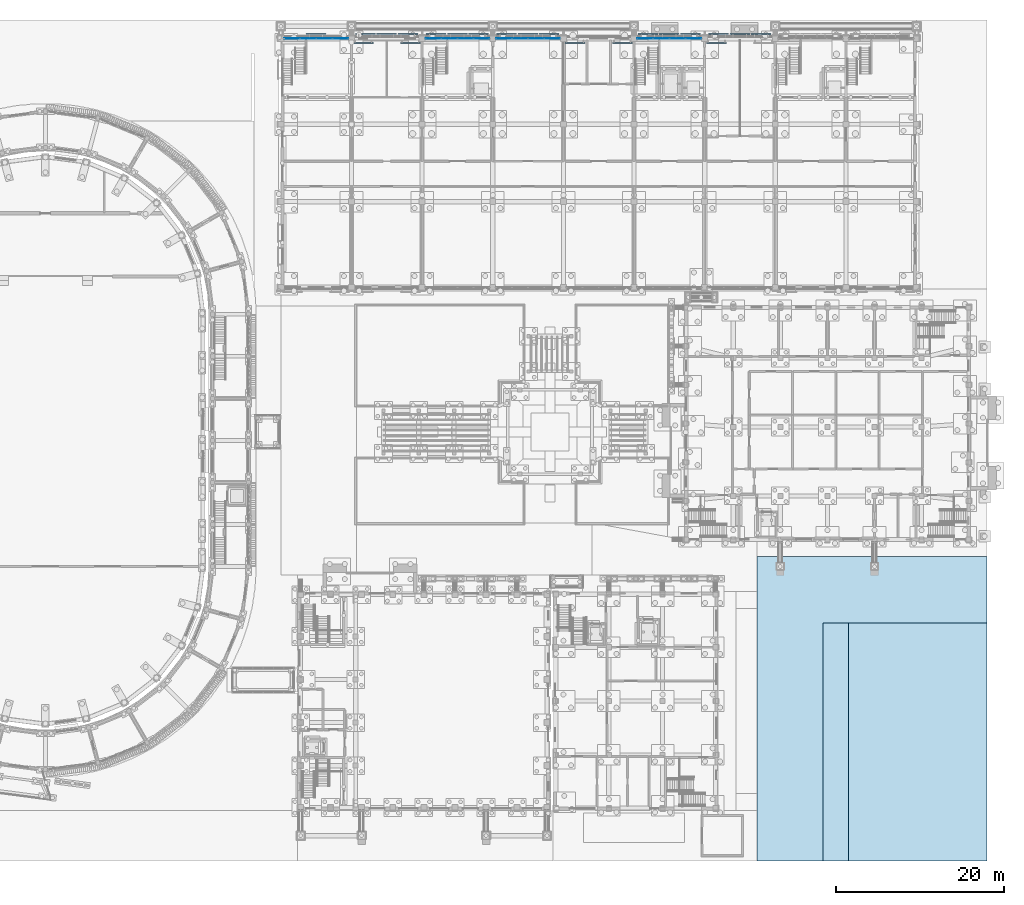
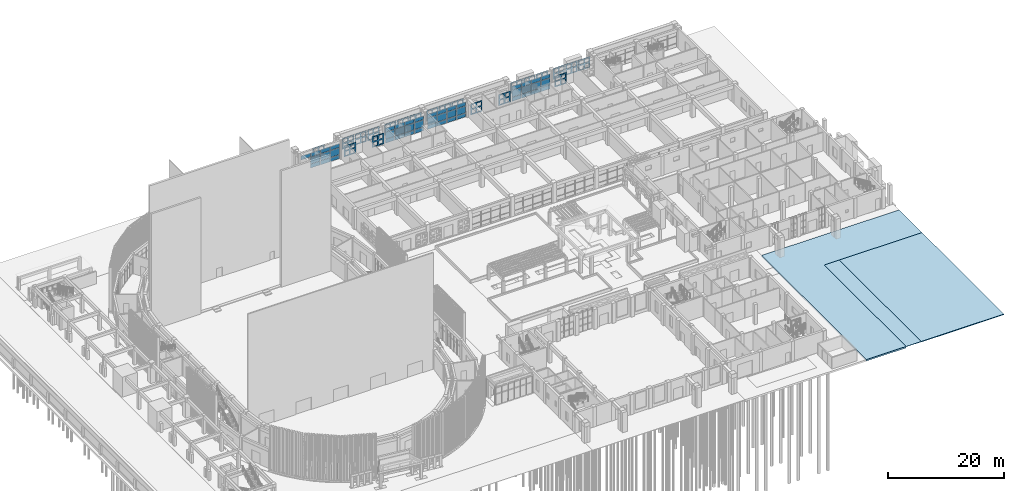
# One storey, part 56 of 112: 67 plates, 3 slabs, 4 elements without a shape of their own.
"""IFC4 building model written with IfcOpenShell, lengths in metres."""

from ifc_helpers import new_model, si_unit, direction, frame, origin, origin_2d, place, context, subcontext, project, spatial, polyline, rectangle, outline, extrude, material, layer, layer_set, material_profile, profile_set, type_object, element, aggregate, save


model = new_model("IFC4")

# Units and contexts
model_context = context("Model", 3, precision=1e-05, world=origin(), true_north=direction((0.0, 1.0)))
body_context = subcontext(model_context, "Body", "Model", "MODEL_VIEW")
ifc_project = project(units=[si_unit("LENGTHUNIT", "METRE"), si_unit("AREAUNIT", "SQUARE_METRE"), si_unit("VOLUMEUNIT", "CUBIC_METRE"), si_unit("PLANEANGLEUNIT", "RADIAN"), si_unit("MASSUNIT", "GRAM", prefix="KILO")], contexts=[model_context])

# Site, building, storey
site_placement = place(None, origin())
site = spatial("IfcSite", under=ifc_project, at=site_placement, CompositionType="ELEMENT")
building_placement = place(site_placement, origin())
building = spatial("IfcBuilding", under=site, at=building_placement, Name="Wasatch Bagh Community Centre", CompositionType="ELEMENT")
storey_placement = place(building_placement, origin())
storey = spatial("IfcBuildingStorey", under=building, at=storey_placement, Name="L00", CompositionType="ELEMENT", Elevation=0.0)

# Curtain wall, plates
ifc_material_1 = material(Name="Aluminium curtain wall frame with low-iron glass", Category="aluminium")
ifc_layer_1 = layer(ifc_material_1, 0.10009765625)
ifc_layer_set_1 = layer_set([ifc_layer_1], Name="Aluminium curtain wall frame with low-iron glass")
curtain_wall_type_1 = type_object("IfcCurtainWallType", Name="LW curtain wall 100", PredefinedType="NOTDEFINED", material=ifc_layer_set_1)
curtain_wall_1_placement = place(storey_placement, origin())
curtain_wall_1 = element("IfcCurtainWall", 1, at=curtain_wall_1_placement, inside=storey, type_object=curtain_wall_type_1, Name="Curtain wall 00.06", PredefinedType="NOTDEFINED")
ifc_material_2 = material(Name="Low-iron insulated glass", Category="glass")
ifc_layer_2 = layer(ifc_material_2, 0.028076171875)
ifc_layer_set_2 = layer_set([ifc_layer_2], Name="Low-iron insulated glass")
plate_type_1 = type_object("IfcPlateType", Name="LW curtain wall panel 28", PredefinedType="CURTAIN_PANEL", material=ifc_layer_set_2)
plate_1_placement = place(storey_placement, frame((65.327392578125, 97.800048828125, 2.429931640625), z_axis=(0.0, 0.0, 1.0), x_axis=(1.0, 0.0, 0.0)))
plate_1 = element("IfcPlate", 2, at=plate_1_placement, type_object=plate_type_1, Name="LW-CW1 panel 1.3", PredefinedType="CURTAIN_PANEL", context=body_context, shape_type="SweptSolid", body=[
    extrude(rectangle(XDim=1.8349609375, YDim=0.028076171875, at=origin_2d()), origin(), (0.0, 0.0, 1.0), 0.830078125),
])
plate_2_placement = place(storey_placement, frame((67.237548828125, 97.800048828125, 0.06005859375), z_axis=(0.0, 0.0, 1.0), x_axis=(1.0, 0.0, 0.0)))
plate_2 = element("IfcPlate", 3, at=plate_2_placement, type_object=plate_type_1, Name="LW-CW1 panel 2.1", PredefinedType="CURTAIN_PANEL", context=body_context, shape_type="SweptSolid", body=[
    extrude(rectangle(XDim=1.864990234375, YDim=0.028076171875, at=origin_2d()), origin(), (0.0, 0.0, 1.0), 0.81005859375),
])
plate_3_placement = place(storey_placement, frame((67.237548828125, 97.800048828125, 0.929931640625), z_axis=(0.0, 0.0, 1.0), x_axis=(1.0, 0.0, 0.0)))
plate_3 = element("IfcPlate", 4, at=plate_3_placement, type_object=plate_type_1, Name="LW-CW1 panel 2.2", PredefinedType="CURTAIN_PANEL", context=body_context, shape_type="SweptSolid", body=[
    extrude(rectangle(XDim=1.864990234375, YDim=0.028076171875, at=origin_2d()), origin(), (0.0, 0.0, 1.0), 1.43994140625),
])
plate_4_placement = place(storey_placement, frame((67.237548828125, 97.800048828125, 2.429931640625), z_axis=(0.0, 0.0, 1.0), x_axis=(1.0, 0.0, 0.0)))
plate_4 = element("IfcPlate", 5, at=plate_4_placement, type_object=plate_type_1, Name="LW-CW1 panel 2.3", PredefinedType="CURTAIN_PANEL", context=body_context, shape_type="SweptSolid", body=[
    extrude(rectangle(XDim=1.864990234375, YDim=0.028076171875, at=origin_2d()), origin(), (0.0, 0.0, 1.0), 0.830078125),
])
plate_5_placement = place(storey_placement, frame((69.16259765625, 97.800048828125, 0.06005859375), z_axis=(0.0, 0.0, 1.0), x_axis=(1.0, 0.0, 0.0)))
plate_5 = element("IfcPlate", 6, at=plate_5_placement, type_object=plate_type_1, Name="LW-CW1 panel 3.1", PredefinedType="CURTAIN_PANEL", context=body_context, shape_type="SweptSolid", body=[
    extrude(rectangle(XDim=1.864990234375, YDim=0.028076171875, at=origin_2d()), origin(), (0.0, 0.0, 1.0), 0.81005859375),
])
plate_6_placement = place(storey_placement, frame((69.16259765625, 97.800048828125, 0.929931640625), z_axis=(0.0, 0.0, 1.0), x_axis=(1.0, 0.0, 0.0)))
plate_6 = element("IfcPlate", 7, at=plate_6_placement, type_object=plate_type_1, Name="LW-CW1 panel 3.2", PredefinedType="CURTAIN_PANEL", context=body_context, shape_type="SweptSolid", body=[
    extrude(rectangle(XDim=1.864990234375, YDim=0.028076171875, at=origin_2d()), origin(), (0.0, 0.0, 1.0), 1.43994140625),
])
plate_7_placement = place(storey_placement, frame((69.16259765625, 97.800048828125, 2.429931640625), z_axis=(0.0, 0.0, 1.0), x_axis=(1.0, 0.0, 0.0)))
plate_7 = element("IfcPlate", 8, at=plate_7_placement, type_object=plate_type_1, Name="LW-CW1 panel 3.3", PredefinedType="CURTAIN_PANEL", context=body_context, shape_type="SweptSolid", body=[
    extrude(rectangle(XDim=1.864990234375, YDim=0.028076171875, at=origin_2d()), origin(), (0.0, 0.0, 1.0), 0.830078125),
])
plate_8_placement = place(storey_placement, frame((71.072509765625, 97.800048828125, 0.06005859375), z_axis=(0.0, 0.0, 1.0), x_axis=(1.0, 0.0, 0.0)))
plate_8 = element("IfcPlate", 9, at=plate_8_placement, type_object=plate_type_1, Name="LW-CW1 panel 4.1", PredefinedType="CURTAIN_PANEL", context=body_context, shape_type="SweptSolid", body=[
    extrude(rectangle(XDim=1.8349609375, YDim=0.028076171875, at=origin_2d()), origin(), (0.0, 0.0, 1.0), 0.81005859375),
])
plate_9_placement = place(storey_placement, frame((71.072509765625, 97.800048828125, 0.929931640625), z_axis=(0.0, 0.0, 1.0), x_axis=(1.0, 0.0, 0.0)))
plate_9 = element("IfcPlate", 10, at=plate_9_placement, type_object=plate_type_1, Name="LW-CW1 panel 4.2", PredefinedType="CURTAIN_PANEL", context=body_context, shape_type="SweptSolid", body=[
    extrude(rectangle(XDim=1.8349609375, YDim=0.028076171875, at=origin_2d()), origin(), (0.0, 0.0, 1.0), 1.43994140625),
])
plate_10_placement = place(storey_placement, frame((71.072509765625, 97.800048828125, 2.429931640625), z_axis=(0.0, 0.0, 1.0), x_axis=(1.0, 0.0, 0.0)))
plate_10 = element("IfcPlate", 11, at=plate_10_placement, type_object=plate_type_1, Name="LW-CW1 panel 4.3", PredefinedType="CURTAIN_PANEL", context=body_context, shape_type="SweptSolid", body=[
    extrude(rectangle(XDim=1.8349609375, YDim=0.028076171875, at=origin_2d()), origin(), (0.0, 0.0, 1.0), 0.830078125),
])
aggregate(curtain_wall_1, [plate_1, plate_2, plate_3, plate_4, plate_5, plate_6, plate_7, plate_8, plate_9, plate_10])

curtain_wall_2_placement = place(storey_placement, origin())
curtain_wall_2 = element("IfcCurtainWall", 12, at=curtain_wall_2_placement, inside=storey, type_object=curtain_wall_type_1, Name="Curtain wall 00.07", PredefinedType="NOTDEFINED")
plate_11_placement = place(storey_placement, frame((82.12744140625, 97.800048828125, 0.06005859375), z_axis=(0.0, 0.0, 1.0), x_axis=(1.0, 0.0, 0.0)))
plate_11 = element("IfcPlate", 13, at=plate_11_placement, type_object=plate_type_1, Name="LW-CW1 panel 1.1", PredefinedType="CURTAIN_PANEL", context=body_context, shape_type="SweptSolid", body=[
    extrude(rectangle(XDim=1.8349609375, YDim=0.028076171875, at=origin_2d()), origin(), (0.0, 0.0, 1.0), 0.81005859375),
])
plate_12_placement = place(storey_placement, frame((82.12744140625, 97.800048828125, 0.929931640625), z_axis=(0.0, 0.0, 1.0), x_axis=(1.0, 0.0, 0.0)))
plate_12 = element("IfcPlate", 14, at=plate_12_placement, type_object=plate_type_1, Name="LW-CW1 panel 1.2", PredefinedType="CURTAIN_PANEL", context=body_context, shape_type="SweptSolid", body=[
    extrude(rectangle(XDim=1.8349609375, YDim=0.028076171875, at=origin_2d()), origin(), (0.0, 0.0, 1.0), 1.43994140625),
])
plate_13_placement = place(storey_placement, frame((82.12744140625, 97.800048828125, 2.429931640625), z_axis=(0.0, 0.0, 1.0), x_axis=(1.0, 0.0, 0.0)))
plate_13 = element("IfcPlate", 15, at=plate_13_placement, type_object=plate_type_1, Name="LW-CW1 panel 1.3", PredefinedType="CURTAIN_PANEL", context=body_context, shape_type="SweptSolid", body=[
    extrude(rectangle(XDim=1.8349609375, YDim=0.028076171875, at=origin_2d()), origin(), (0.0, 0.0, 1.0), 0.830078125),
])
plate_14_placement = place(storey_placement, frame((84.03759765625, 97.800048828125, 0.06005859375), z_axis=(0.0, 0.0, 1.0), x_axis=(1.0, 0.0, 0.0)))
plate_14 = element("IfcPlate", 16, at=plate_14_placement, type_object=plate_type_1, Name="LW-CW1 panel 2.1", PredefinedType="CURTAIN_PANEL", context=body_context, shape_type="SweptSolid", body=[
    extrude(rectangle(XDim=1.864990234375, YDim=0.028076171875, at=origin_2d()), origin(), (0.0, 0.0, 1.0), 0.81005859375),
])
plate_15_placement = place(storey_placement, frame((84.03759765625, 97.800048828125, 0.929931640625), z_axis=(0.0, 0.0, 1.0), x_axis=(1.0, 0.0, 0.0)))
plate_15 = element("IfcPlate", 17, at=plate_15_placement, type_object=plate_type_1, Name="LW-CW1 panel 2.2", PredefinedType="CURTAIN_PANEL", context=body_context, shape_type="SweptSolid", body=[
    extrude(rectangle(XDim=1.864990234375, YDim=0.028076171875, at=origin_2d()), origin(), (0.0, 0.0, 1.0), 1.43994140625),
])
plate_16_placement = place(storey_placement, frame((84.03759765625, 97.800048828125, 2.429931640625), z_axis=(0.0, 0.0, 1.0), x_axis=(1.0, 0.0, 0.0)))
plate_16 = element("IfcPlate", 18, at=plate_16_placement, type_object=plate_type_1, Name="LW-CW1 panel 2.3", PredefinedType="CURTAIN_PANEL", context=body_context, shape_type="SweptSolid", body=[
    extrude(rectangle(XDim=1.864990234375, YDim=0.028076171875, at=origin_2d()), origin(), (0.0, 0.0, 1.0), 0.830078125),
])
plate_17_placement = place(storey_placement, frame((85.96240234375, 97.800048828125, 0.06005859375), z_axis=(0.0, 0.0, 1.0), x_axis=(1.0, 0.0, 0.0)))
plate_17 = element("IfcPlate", 19, at=plate_17_placement, type_object=plate_type_1, Name="LW-CW1 panel 3.1", PredefinedType="CURTAIN_PANEL", context=body_context, shape_type="SweptSolid", body=[
    extrude(rectangle(XDim=1.864990234375, YDim=0.028076171875, at=origin_2d()), origin(), (0.0, 0.0, 1.0), 0.81005859375),
])
plate_18_placement = place(storey_placement, frame((85.96240234375, 97.800048828125, 0.929931640625), z_axis=(0.0, 0.0, 1.0), x_axis=(1.0, 0.0, 0.0)))
plate_18 = element("IfcPlate", 20, at=plate_18_placement, type_object=plate_type_1, Name="LW-CW1 panel 3.2", PredefinedType="CURTAIN_PANEL", context=body_context, shape_type="SweptSolid", body=[
    extrude(rectangle(XDim=1.864990234375, YDim=0.028076171875, at=origin_2d()), origin(), (0.0, 0.0, 1.0), 1.43994140625),
])
plate_19_placement = place(storey_placement, frame((85.96240234375, 97.800048828125, 2.429931640625), z_axis=(0.0, 0.0, 1.0), x_axis=(1.0, 0.0, 0.0)))
plate_19 = element("IfcPlate", 21, at=plate_19_placement, type_object=plate_type_1, Name="LW-CW1 panel 3.3", PredefinedType="CURTAIN_PANEL", context=body_context, shape_type="SweptSolid", body=[
    extrude(rectangle(XDim=1.864990234375, YDim=0.028076171875, at=origin_2d()), origin(), (0.0, 0.0, 1.0), 0.830078125),
])
plate_20_placement = place(storey_placement, frame((87.87255859375, 97.800048828125, 0.06005859375), z_axis=(0.0, 0.0, 1.0), x_axis=(1.0, 0.0, 0.0)))
plate_20 = element("IfcPlate", 22, at=plate_20_placement, type_object=plate_type_1, Name="LW-CW1 panel 4.1", PredefinedType="CURTAIN_PANEL", context=body_context, shape_type="SweptSolid", body=[
    extrude(rectangle(XDim=1.8349609375, YDim=0.028076171875, at=origin_2d()), origin(), (0.0, 0.0, 1.0), 0.81005859375),
])
plate_21_placement = place(storey_placement, frame((87.87255859375, 97.800048828125, 0.929931640625), z_axis=(0.0, 0.0, 1.0), x_axis=(1.0, 0.0, 0.0)))
plate_21 = element("IfcPlate", 23, at=plate_21_placement, type_object=plate_type_1, Name="LW-CW1 panel 4.2", PredefinedType="CURTAIN_PANEL", context=body_context, shape_type="SweptSolid", body=[
    extrude(rectangle(XDim=1.8349609375, YDim=0.028076171875, at=origin_2d()), origin(), (0.0, 0.0, 1.0), 1.43994140625),
])
plate_22_placement = place(storey_placement, frame((87.87255859375, 97.800048828125, 2.429931640625), z_axis=(0.0, 0.0, 1.0), x_axis=(1.0, 0.0, 0.0)))
plate_22 = element("IfcPlate", 24, at=plate_22_placement, type_object=plate_type_1, Name="LW-CW1 panel 4.3", PredefinedType="CURTAIN_PANEL", context=body_context, shape_type="SweptSolid", body=[
    extrude(rectangle(XDim=1.8349609375, YDim=0.028076171875, at=origin_2d()), origin(), (0.0, 0.0, 1.0), 0.830078125),
])
aggregate(curtain_wall_2, [plate_11, plate_12, plate_13, plate_14, plate_15, plate_16, plate_17, plate_18, plate_19, plate_20, plate_21, plate_22])

curtain_wall_3_placement = place(storey_placement, origin())
curtain_wall_3 = element("IfcCurtainWall", 25, at=curtain_wall_3_placement, inside=storey, type_object=curtain_wall_type_1, Name="Curtain wall 00.09", PredefinedType="NOTDEFINED")
plate_23_placement = place(storey_placement, frame((107.327392578125, 97.800048828125, 0.06005859375), z_axis=(0.0, 0.0, 1.0), x_axis=(1.0, 0.0, 0.0)))
plate_23 = element("IfcPlate", 26, at=plate_23_placement, type_object=plate_type_1, Name="LW-CW1 panel 1.1", PredefinedType="CURTAIN_PANEL", context=body_context, shape_type="SweptSolid", body=[
    extrude(rectangle(XDim=1.8349609375, YDim=0.028076171875, at=origin_2d()), origin(), (0.0, 0.0, 1.0), 0.81005859375),
])
plate_24_placement = place(storey_placement, frame((107.327392578125, 97.800048828125, 0.929931640625), z_axis=(0.0, 0.0, 1.0), x_axis=(1.0, 0.0, 0.0)))
plate_24 = element("IfcPlate", 27, at=plate_24_placement, type_object=plate_type_1, Name="LW-CW1 panel 1.2", PredefinedType="CURTAIN_PANEL", context=body_context, shape_type="SweptSolid", body=[
    extrude(rectangle(XDim=1.8349609375, YDim=0.028076171875, at=origin_2d()), origin(), (0.0, 0.0, 1.0), 1.43994140625),
])
plate_25_placement = place(storey_placement, frame((107.327392578125, 97.800048828125, 2.429931640625), z_axis=(0.0, 0.0, 1.0), x_axis=(1.0, 0.0, 0.0)))
plate_25 = element("IfcPlate", 28, at=plate_25_placement, type_object=plate_type_1, Name="LW-CW1 panel 1.3", PredefinedType="CURTAIN_PANEL", context=body_context, shape_type="SweptSolid", body=[
    extrude(rectangle(XDim=1.8349609375, YDim=0.028076171875, at=origin_2d()), origin(), (0.0, 0.0, 1.0), 0.830078125),
])
plate_26_placement = place(storey_placement, frame((109.237548828125, 97.800048828125, 0.06005859375), z_axis=(0.0, 0.0, 1.0), x_axis=(1.0, 0.0, 0.0)))
plate_26 = element("IfcPlate", 29, at=plate_26_placement, type_object=plate_type_1, Name="LW-CW1 panel 2.1", PredefinedType="CURTAIN_PANEL", context=body_context, shape_type="SweptSolid", body=[
    extrude(rectangle(XDim=1.864990234375, YDim=0.028076171875, at=origin_2d()), origin(), (0.0, 0.0, 1.0), 0.81005859375),
])
plate_27_placement = place(storey_placement, frame((109.237548828125, 97.800048828125, 0.929931640625), z_axis=(0.0, 0.0, 1.0), x_axis=(1.0, 0.0, 0.0)))
plate_27 = element("IfcPlate", 30, at=plate_27_placement, type_object=plate_type_1, Name="LW-CW1 panel 2.2", PredefinedType="CURTAIN_PANEL", context=body_context, shape_type="SweptSolid", body=[
    extrude(rectangle(XDim=1.864990234375, YDim=0.028076171875, at=origin_2d()), origin(), (0.0, 0.0, 1.0), 1.43994140625),
])
plate_28_placement = place(storey_placement, frame((109.237548828125, 97.800048828125, 2.429931640625), z_axis=(0.0, 0.0, 1.0), x_axis=(1.0, 0.0, 0.0)))
plate_28 = element("IfcPlate", 31, at=plate_28_placement, type_object=plate_type_1, Name="LW-CW1 panel 2.3", PredefinedType="CURTAIN_PANEL", context=body_context, shape_type="SweptSolid", body=[
    extrude(rectangle(XDim=1.864990234375, YDim=0.028076171875, at=origin_2d()), origin(), (0.0, 0.0, 1.0), 0.830078125),
])
plate_29_placement = place(storey_placement, frame((111.16259765625, 97.800048828125, 0.06005859375), z_axis=(0.0, 0.0, 1.0), x_axis=(1.0, 0.0, 0.0)))
plate_29 = element("IfcPlate", 32, at=plate_29_placement, type_object=plate_type_1, Name="LW-CW1 panel 3.1", PredefinedType="CURTAIN_PANEL", context=body_context, shape_type="SweptSolid", body=[
    extrude(rectangle(XDim=1.864990234375, YDim=0.028076171875, at=origin_2d()), origin(), (0.0, 0.0, 1.0), 0.81005859375),
])
plate_30_placement = place(storey_placement, frame((111.16259765625, 97.800048828125, 0.929931640625), z_axis=(0.0, 0.0, 1.0), x_axis=(1.0, 0.0, 0.0)))
plate_30 = element("IfcPlate", 33, at=plate_30_placement, type_object=plate_type_1, Name="LW-CW1 panel 3.2", PredefinedType="CURTAIN_PANEL", context=body_context, shape_type="SweptSolid", body=[
    extrude(rectangle(XDim=1.864990234375, YDim=0.028076171875, at=origin_2d()), origin(), (0.0, 0.0, 1.0), 1.43994140625),
])
plate_31_placement = place(storey_placement, frame((111.16259765625, 97.800048828125, 2.429931640625), z_axis=(0.0, 0.0, 1.0), x_axis=(1.0, 0.0, 0.0)))
plate_31 = element("IfcPlate", 34, at=plate_31_placement, type_object=plate_type_1, Name="LW-CW1 panel 3.3", PredefinedType="CURTAIN_PANEL", context=body_context, shape_type="SweptSolid", body=[
    extrude(rectangle(XDim=1.864990234375, YDim=0.028076171875, at=origin_2d()), origin(), (0.0, 0.0, 1.0), 0.830078125),
])
plate_32_placement = place(storey_placement, frame((113.072509765625, 97.800048828125, 0.06005859375), z_axis=(0.0, 0.0, 1.0), x_axis=(1.0, 0.0, 0.0)))
plate_32 = element("IfcPlate", 35, at=plate_32_placement, type_object=plate_type_1, Name="LW-CW1 panel 4.1", PredefinedType="CURTAIN_PANEL", context=body_context, shape_type="SweptSolid", body=[
    extrude(rectangle(XDim=1.8349609375, YDim=0.028076171875, at=origin_2d()), origin(), (0.0, 0.0, 1.0), 0.81005859375),
])
plate_33_placement = place(storey_placement, frame((113.072509765625, 97.800048828125, 0.929931640625), z_axis=(0.0, 0.0, 1.0), x_axis=(1.0, 0.0, 0.0)))
plate_33 = element("IfcPlate", 36, at=plate_33_placement, type_object=plate_type_1, Name="LW-CW1 panel 4.2", PredefinedType="CURTAIN_PANEL", context=body_context, shape_type="SweptSolid", body=[
    extrude(rectangle(XDim=1.8349609375, YDim=0.028076171875, at=origin_2d()), origin(), (0.0, 0.0, 1.0), 1.43994140625),
])
plate_34_placement = place(storey_placement, frame((113.072509765625, 97.800048828125, 2.429931640625), z_axis=(0.0, 0.0, 1.0), x_axis=(1.0, 0.0, 0.0)))
plate_34 = element("IfcPlate", 37, at=plate_34_placement, type_object=plate_type_1, Name="LW-CW1 panel 4.3", PredefinedType="CURTAIN_PANEL", context=body_context, shape_type="SweptSolid", body=[
    extrude(rectangle(XDim=1.8349609375, YDim=0.028076171875, at=origin_2d()), origin(), (0.0, 0.0, 1.0), 0.830078125),
])
aggregate(curtain_wall_3, [plate_23, plate_24, plate_25, plate_26, plate_27, plate_28, plate_29, plate_30, plate_31, plate_32, plate_33, plate_34])

ifc_layer_3 = layer(ifc_material_1, 0.1201171875)
ifc_layer_set_3 = layer_set([ifc_layer_3], Name="Aluminium curtain wall frame with low-iron glass")
curtain_wall_type_2 = type_object("IfcCurtainWallType", Name="LW study front curtain wall 120", PredefinedType="NOTDEFINED", material=ifc_layer_set_3)
curtain_wall_4_placement = place(storey_placement, origin())
curtain_wall_4 = element("IfcCurtainWall", 38, at=curtain_wall_4_placement, inside=storey, type_object=curtain_wall_type_2, Name="Curtain wall 00.08", PredefinedType="NOTDEFINED")
ifc_layer_4 = layer(ifc_material_2, 0.028076171875)
ifc_layer_set_4 = layer_set([ifc_layer_4], Name="Low-iron insulated glass")
plate_type_2 = type_object("IfcPlateType", Name="LW curtain wall panel 28 LW-CW2", PredefinedType="CURTAIN_PANEL", material=ifc_layer_set_4)
plate_35_placement = place(storey_placement, frame((90.527587890625, 97.800048828125, 0.06005859375), z_axis=(0.0, 0.0, 1.0), x_axis=(1.0, 0.0, 0.0)))
plate_35 = element("IfcPlate", 39, at=plate_35_placement, type_object=plate_type_2, Name="LW-CW2 panel 1.1", PredefinedType="CURTAIN_PANEL", context=body_context, shape_type="SweptSolid", body=[
    extrude(rectangle(XDim=1.8349609375, YDim=0.028076171875, at=origin_2d()), origin(), (0.0, 0.0, 1.0), 0.81005859375),
])
plate_36_placement = place(storey_placement, frame((90.527587890625, 97.800048828125, 0.929931640625), z_axis=(0.0, 0.0, 1.0), x_axis=(1.0, 0.0, 0.0)))
plate_36 = element("IfcPlate", 40, at=plate_36_placement, type_object=plate_type_2, Name="LW-CW2 panel 1.2", PredefinedType="CURTAIN_PANEL", context=body_context, shape_type="SweptSolid", body=[
    extrude(rectangle(XDim=1.8349609375, YDim=0.028076171875, at=origin_2d()), origin(), (0.0, 0.0, 1.0), 1.43994140625),
])
plate_37_placement = place(storey_placement, frame((90.527587890625, 97.800048828125, 2.429931640625), z_axis=(0.0, 0.0, 1.0), x_axis=(1.0, 0.0, 0.0)))
plate_37 = element("IfcPlate", 41, at=plate_37_placement, type_object=plate_type_2, Name="LW-CW2 panel 1.3", PredefinedType="CURTAIN_PANEL", context=body_context, shape_type="SweptSolid", body=[
    extrude(rectangle(XDim=1.8349609375, YDim=0.028076171875, at=origin_2d()), origin(), (0.0, 0.0, 1.0), 0.830078125),
])
plate_38_placement = place(storey_placement, frame((92.4375, 97.800048828125, 0.06005859375), z_axis=(0.0, 0.0, 1.0), x_axis=(1.0, 0.0, 0.0)))
plate_38 = element("IfcPlate", 42, at=plate_38_placement, type_object=plate_type_2, Name="LW-CW2 panel 2.1", PredefinedType="CURTAIN_PANEL", context=body_context, shape_type="SweptSolid", body=[
    extrude(rectangle(XDim=1.864990234375, YDim=0.028076171875, at=origin_2d()), origin(), (0.0, 0.0, 1.0), 0.81005859375),
])
plate_39_placement = place(storey_placement, frame((92.4375, 97.800048828125, 0.929931640625), z_axis=(0.0, 0.0, 1.0), x_axis=(1.0, 0.0, 0.0)))
plate_39 = element("IfcPlate", 43, at=plate_39_placement, type_object=plate_type_2, Name="LW-CW2 panel 2.2", PredefinedType="CURTAIN_PANEL", context=body_context, shape_type="SweptSolid", body=[
    extrude(rectangle(XDim=1.864990234375, YDim=0.028076171875, at=origin_2d()), origin(), (0.0, 0.0, 1.0), 1.43994140625),
])
plate_40_placement = place(storey_placement, frame((92.4375, 97.800048828125, 2.429931640625), z_axis=(0.0, 0.0, 1.0), x_axis=(1.0, 0.0, 0.0)))
plate_40 = element("IfcPlate", 44, at=plate_40_placement, type_object=plate_type_2, Name="LW-CW2 panel 2.3", PredefinedType="CURTAIN_PANEL", context=body_context, shape_type="SweptSolid", body=[
    extrude(rectangle(XDim=1.864990234375, YDim=0.028076171875, at=origin_2d()), origin(), (0.0, 0.0, 1.0), 0.830078125),
])
plate_41_placement = place(storey_placement, frame((94.362548828125, 97.800048828125, 0.06005859375), z_axis=(0.0, 0.0, 1.0), x_axis=(1.0, 0.0, 0.0)))
plate_41 = element("IfcPlate", 45, at=plate_41_placement, type_object=plate_type_2, Name="LW-CW2 panel 3.1", PredefinedType="CURTAIN_PANEL", context=body_context, shape_type="SweptSolid", body=[
    extrude(rectangle(XDim=1.864990234375, YDim=0.028076171875, at=origin_2d()), origin(), (0.0, 0.0, 1.0), 0.81005859375),
])
plate_42_placement = place(storey_placement, frame((94.362548828125, 97.800048828125, 0.929931640625), z_axis=(0.0, 0.0, 1.0), x_axis=(1.0, 0.0, 0.0)))
plate_42 = element("IfcPlate", 46, at=plate_42_placement, type_object=plate_type_2, Name="LW-CW2 panel 3.2", PredefinedType="CURTAIN_PANEL", context=body_context, shape_type="SweptSolid", body=[
    extrude(rectangle(XDim=1.864990234375, YDim=0.028076171875, at=origin_2d()), origin(), (0.0, 0.0, 1.0), 1.43994140625),
])
plate_43_placement = place(storey_placement, frame((94.362548828125, 97.800048828125, 2.429931640625), z_axis=(0.0, 0.0, 1.0), x_axis=(1.0, 0.0, 0.0)))
plate_43 = element("IfcPlate", 47, at=plate_43_placement, type_object=plate_type_2, Name="LW-CW2 panel 3.3", PredefinedType="CURTAIN_PANEL", context=body_context, shape_type="SweptSolid", body=[
    extrude(rectangle(XDim=1.864990234375, YDim=0.028076171875, at=origin_2d()), origin(), (0.0, 0.0, 1.0), 0.830078125),
])
plate_44_placement = place(storey_placement, frame((96.2724609375, 97.800048828125, 0.06005859375), z_axis=(0.0, 0.0, 1.0), x_axis=(1.0, 0.0, 0.0)))
plate_44 = element("IfcPlate", 48, at=plate_44_placement, type_object=plate_type_2, Name="LW-CW2 panel 4.1", PredefinedType="CURTAIN_PANEL", context=body_context, shape_type="SweptSolid", body=[
    extrude(rectangle(XDim=1.8349609375, YDim=0.028076171875, at=origin_2d()), origin(), (0.0, 0.0, 1.0), 0.81005859375),
])
plate_45_placement = place(storey_placement, frame((96.2724609375, 97.800048828125, 0.929931640625), z_axis=(0.0, 0.0, 1.0), x_axis=(1.0, 0.0, 0.0)))
plate_45 = element("IfcPlate", 49, at=plate_45_placement, type_object=plate_type_2, Name="LW-CW2 panel 4.2", PredefinedType="CURTAIN_PANEL", context=body_context, shape_type="SweptSolid", body=[
    extrude(rectangle(XDim=1.8349609375, YDim=0.028076171875, at=origin_2d()), origin(), (0.0, 0.0, 1.0), 1.43994140625),
])
plate_46_placement = place(storey_placement, frame((96.2724609375, 97.800048828125, 2.429931640625), z_axis=(0.0, 0.0, 1.0), x_axis=(1.0, 0.0, 0.0)))
plate_46 = element("IfcPlate", 50, at=plate_46_placement, type_object=plate_type_2, Name="LW-CW2 panel 4.3", PredefinedType="CURTAIN_PANEL", context=body_context, shape_type="SweptSolid", body=[
    extrude(rectangle(XDim=1.8349609375, YDim=0.028076171875, at=origin_2d()), origin(), (0.0, 0.0, 1.0), 0.830078125),
])
aggregate(curtain_wall_4, [plate_35, plate_36, plate_37, plate_38, plate_39, plate_40, plate_41, plate_42, plate_43, plate_44, plate_45, plate_46])

# Plates
ifc_material_3 = material(Name="Precast concrete C40/50", Category="concrete")
ifc_material_profile = material_profile(ifc_material_3, outline(polyline([(-1.159912109375, -1.159912109375), (1.159912109375, -1.159912109375), (1.159912109375, 1.159912109375), (-1.159912109375, 1.159912109375), (-1.159912109375, -1.159912109375)]), holes=[polyline([(-0.919921875, -0.919921875), (-0.14990234375, -0.919921875), (-0.14990234375, -0.14990234375), (-0.919921875, -0.14990234375), (-0.919921875, -0.919921875)]), polyline([(-0.919921875, 0.14990234375), (-0.14990234375, 0.14990234375), (-0.14990234375, 0.919921875), (-0.919921875, 0.919921875), (-0.919921875, 0.14990234375)]), polyline([(0.14990234375, -0.919921875), (0.919921875, -0.919921875), (0.919921875, -0.14990234375), (0.14990234375, -0.14990234375), (0.14990234375, -0.919921875)]), polyline([(0.14990234375, 0.14990234375), (0.919921875, 0.14990234375), (0.919921875, 0.919921875), (0.14990234375, 0.919921875), (0.14990234375, 0.14990234375)])]), Name="Jali lattice")
ifc_profile_set = profile_set([ifc_material_profile], Name="Precast concrete C40/50")
plate_type_3 = type_object("IfcPlateType", Name="LW jali panel 2320x2320", PredefinedType="SHEET", material=ifc_profile_set)
for number, where, z_axis, x_axis, name in (
    (51, (73.800048828125, 97.300048828125, 1.659912109375), (0.0, -1.0, 0.0), (1.0, 0.0, 0.0), "Jali panel"),
    (52, (79.39990234375, 97.300048828125, 1.659912109375), (0.0, -1.0, 0.0), (1.0, 0.0, 0.0), "Jali panel"),
    (53, (99.0, 97.300048828125, 1.659912109375), (0.0, -1.0, 0.0), (1.0, 0.0, 0.0), "Jali panel"),
    (54, (104.60009765625, 97.300048828125, 1.659912109375), (0.0, -1.0, 0.0), (1.0, 0.0, 0.0), "Jali panel"),
    (55, (115.800048828125, 97.300048828125, 1.659912109375), (0.0, -1.0, 0.0), (1.0, 0.0, 0.0), "Jali panel"),
    (56, (68.179931640625, 98.300048828125, 2.510009765625), (0.0, 1.0, 0.0), (-1.0, 0.0, 0.0), "Jali panel"),
    (57, (74.06005859375, 98.300048828125, 2.510009765625), (0.0, 1.0, 0.0), (-1.0, 0.0, 0.0), "Jali panel"),
    (58, (76.580078125, 98.300048828125, 2.510009765625), (0.0, 1.0, 0.0), (-1.0, 0.0, 0.0), "Jali panel"),
    (59, (79.10009765625, 98.300048828125, 2.510009765625), (0.0, 1.0, 0.0), (-1.0, 0.0, 0.0), "Jali panel"),
    (60, (82.4599609375, 98.300048828125, 2.510009765625), (0.0, 1.0, 0.0), (-1.0, 0.0, 0.0), "Jali panel"),
    (61, (84.97998046875, 98.300048828125, 2.510009765625), (0.0, 1.0, 0.0), (-1.0, 0.0, 0.0), "Jali panel"),
    (62, (87.5, 98.300048828125, 2.510009765625), (0.0, 1.0, 0.0), (-1.0, 0.0, 0.0), "Jali panel"),
    (63, (90.860107421875, 98.300048828125, 2.510009765625), (0.0, 1.0, 0.0), (-1.0, 0.0, 0.0), "Jali panel"),
    (64, (93.3798828125, 98.300048828125, 2.510009765625), (0.0, 1.0, 0.0), (-1.0, 0.0, 0.0), "Jali panel"),
    (65, (95.89990234375, 98.300048828125, 2.510009765625), (0.0, 1.0, 0.0), (-1.0, 0.0, 0.0), "Jali panel"),
    (66, (107.659912109375, 98.300048828125, 2.510009765625), (0.0, 1.0, 0.0), (-1.0, 0.0, 0.0), "Jali panel"),
    (67, (110.179931640625, 98.300048828125, 2.510009765625), (0.0, 1.0, 0.0), (-1.0, 0.0, 0.0), "Jali panel"),
    (68, (112.699951171875, 98.300048828125, 2.510009765625), (0.0, 1.0, 0.0), (-1.0, 0.0, 0.0), "Jali panel"),
    (69, (116.06005859375, 98.300048828125, 2.510009765625), (0.0, 1.0, 0.0), (-1.0, 0.0, 0.0), "Jali panel"),
    (70, (118.580078125, 98.300048828125, 2.510009765625), (0.0, 1.0, 0.0), (-1.0, 0.0, 0.0), "Jali panel"),
    (71, (121.10009765625, 98.300048828125, 2.510009765625), (0.0, 1.0, 0.0), (-1.0, 0.0, 0.0), "Jali panel"),
):
    element("IfcPlate", number, at=place(storey_placement, frame(where, z_axis=z_axis, x_axis=x_axis)), inside=storey, type_object=plate_type_3, Name=name, PredefinedType="SHEET", context=body_context, shape_type="SweptSolid", body=[
        extrude(outline(polyline([(-1.159912109375, -1.159912109375), (1.159912109375, -1.159912109375), (1.159912109375, 1.159912109375), (-1.159912109375, 1.159912109375), (-1.159912109375, -1.159912109375)]), holes=[polyline([(-0.919921875, -0.919921875), (-0.14990234375, -0.919921875), (-0.14990234375, -0.14990234375), (-0.919921875, -0.14990234375), (-0.919921875, -0.919921875)]), polyline([(-0.919921875, 0.14990234375), (-0.14990234375, 0.14990234375), (-0.14990234375, 0.919921875), (-0.919921875, 0.919921875), (-0.919921875, 0.14990234375)]), polyline([(0.14990234375, -0.919921875), (0.919921875, -0.919921875), (0.919921875, -0.14990234375), (0.14990234375, -0.14990234375), (0.14990234375, -0.919921875)]), polyline([(0.14990234375, 0.14990234375), (0.919921875, 0.14990234375), (0.919921875, 0.919921875), (0.14990234375, 0.919921875), (0.14990234375, 0.14990234375)])]), origin(), (0.0, 0.0, 1.0), 0.070068359375),
    ])

# Slabs
ifc_material_4 = material(Name="Concrete C35", Category="concrete")
ifc_layer_5 = layer(ifc_material_4, 0.320068359375)
ifc_layer_set_5 = layer_set([ifc_layer_5], Name="Concrete C35")
slab_type_1 = type_object("IfcSlabType", Name="SITE-P10 on grade", PredefinedType="BASESLAB", material=ifc_layer_set_5)
slab_1_placement = place(storey_placement, frame((0.0, 0.0, -0.320068359375)))
element("IfcSlab", 72, at=slab_1_placement, inside=storey, type_object=slab_type_1, Name="Paving - Forecourt lane L2", PredefinedType="BASESLAB", context=body_context, shape_type="SweptSolid", body=[
    extrude(outline(polyline([(128.5, 0.0), (120.60009765625, 0.0), (120.60009765625, 36.199951171875), (148.0, 36.199951171875), (148.0, 28.300048828125), (128.5, 28.300048828125), (128.5, 0.0)])), origin(), (0.0, 0.0, 1.0), 0.320068359375),
])
ifc_material_5 = material(Name="Concrete C30", Category="concrete")
ifc_layer_6 = layer(ifc_material_5, 0.10009765625)
ifc_layer_set_6 = layer_set([ifc_layer_6], Name="Concrete C30")
slab_type_2 = type_object("IfcSlabType", Name="SITE-P4", PredefinedType="FLOOR", material=ifc_layer_set_6)
slab_2_placement = place(storey_placement, frame((0.0, 0.0, -0.10009765625)))
element("IfcSlab", 73, at=slab_2_placement, inside=storey, type_object=slab_type_2, Name="Paving - Accessible footway", PredefinedType="FLOOR", context=body_context, shape_type="SweptSolid", body=[
    extrude(outline(polyline([(128.5, 28.300048828125), (131.5, 28.300048828125), (131.5, 0.0), (128.5, 0.0), (128.5, 28.300048828125)])), origin(), (0.0, 0.0, 1.0), 0.10009765625),
])
ifc_layer_7 = layer(ifc_material_5, 0.159912109375)
ifc_layer_set_7 = layer_set([ifc_layer_7], Name="Concrete C30")
slab_type_3 = type_object("IfcSlabType", Name="SITE-P6", PredefinedType="FLOOR", material=ifc_layer_set_7)
slab_3_placement = place(storey_placement, frame((0.0, 0.0, -0.159912109375)))
element("IfcSlab", 74, at=slab_3_placement, inside=storey, type_object=slab_type_3, Name="Paving - Car park paving", PredefinedType="FLOOR", context=body_context, shape_type="SweptSolid", body=[
    extrude(outline(polyline([(131.5, 28.300048828125), (148.0, 28.300048828125), (148.0, 0.0), (131.5, 0.0), (131.5, 28.300048828125)])), origin(), (0.0, 0.0, 1.0), 0.159912109375),
])

save(model, "model.ifc")
